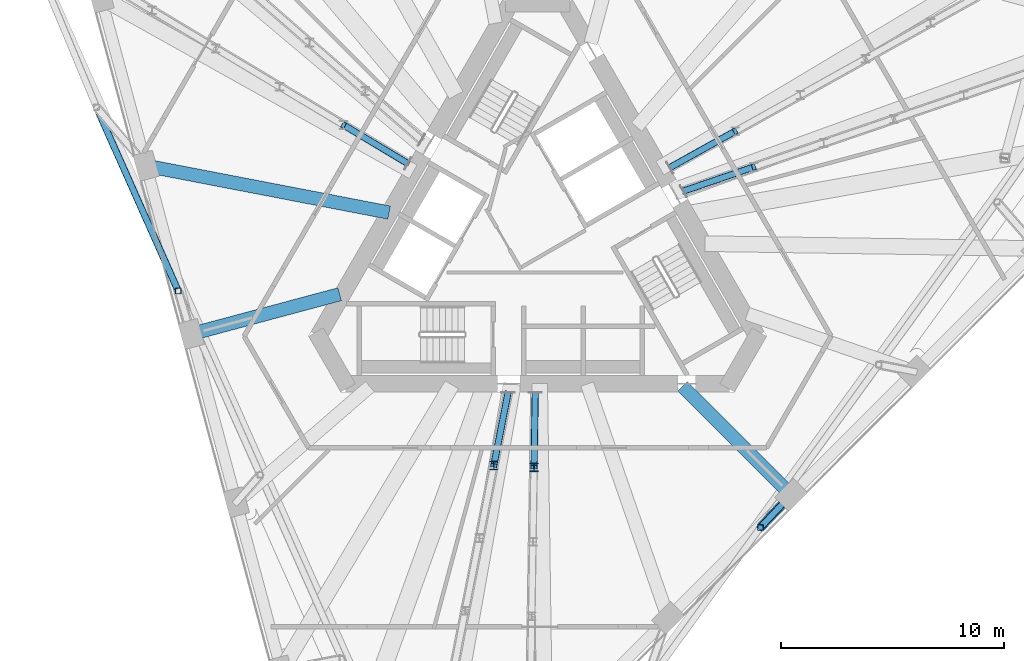
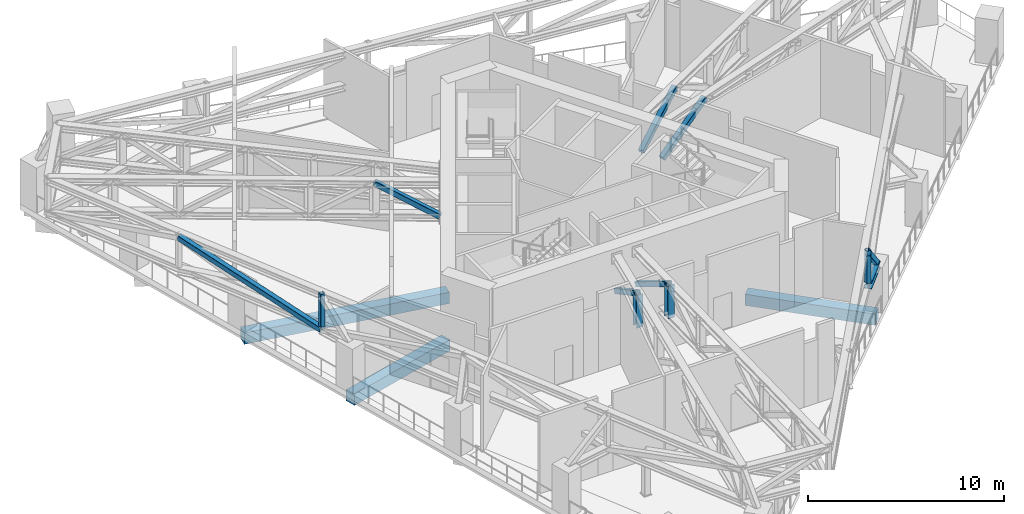
# One storey, part 6 of 22: 12 members, 3 beams.
"""IFC4 building model written with IfcOpenShell, lengths in metres."""

from ifc_helpers import new_model, si_unit, direction, frame, origin, origin_2d, place, context, subcontext, project, spatial, rectangle, hollow_rectangle, i_section, extrude, material, material_profile, profile_set, type_object, element, save


model = new_model("IFC4")

# Units and contexts
model_context = context("Model", 3, precision=1e-05, world=origin(), true_north=direction((0.0, 1.0)))
body_context = subcontext(model_context, "Body", "Model", "MODEL_VIEW")
ifc_project = project(units=[si_unit("LENGTHUNIT", "METRE"), si_unit("AREAUNIT", "SQUARE_METRE"), si_unit("VOLUMEUNIT", "CUBIC_METRE"), si_unit("PLANEANGLEUNIT", "RADIAN"), si_unit("MASSUNIT", "GRAM", prefix="KILO")], contexts=[model_context])

# Site, building, storey
site_placement = place(None, origin())
site = spatial("IfcSite", under=ifc_project, at=site_placement, CompositionType="ELEMENT")
building_placement = place(site_placement, origin())
building = spatial("IfcBuilding", under=site, at=building_placement, Name="Tramontana Tower", CompositionType="ELEMENT")
storey_placement = place(building_placement, frame((0.0, 0.0, 232.0)))
storey = spatial("IfcBuildingStorey", under=building, at=storey_placement, Name="L54", CompositionType="ELEMENT", Elevation=232.0)

# Members
ifc_material_1 = material(Name="Steel ASTM A500 Grade C", Category="steel")
ifc_material_profile_1 = material_profile(ifc_material_1, hollow_rectangle(XDim=0.25390625, YDim=0.25390625, WallThickness=0.01171875, InnerFilletRadius=0.01171875, OuterFilletRadius=0.023681640625, at=origin_2d()), Name="HSS10X10X1/2")
ifc_profile_set_1 = profile_set([ifc_material_profile_1], Name="Steel ASTM A500 Grade C")
member_type_1 = type_object("IfcMemberType", Name="Belt truss HSS10X10X1/2 post", PredefinedType="POST", material=ifc_profile_set_1)
for number, where, z_axis, x_axis, name in (
    (1, (-16.0830078125, -2.231201171875, 2.806396484375), (0.0, 0.0, 1.0), (1.0, 0.0, 0.0), "Belt truss post C6F02"),
    (2, (9.9736328125, -12.812744140625, 2.806396484375), (0.0, 0.0, 1.0), (1.0, 0.0, 0.0), "Belt truss post C6F06"),
):
    element("IfcMember", number, at=place(storey_placement, frame(where, z_axis=z_axis, x_axis=x_axis)), inside=storey, type_object=member_type_1, Name=name, PredefinedType="POST", context=body_context, shape_type="SweptSolid", body=[
        extrude(hollow_rectangle(XDim=0.25390625, YDim=0.25390625, WallThickness=0.01171875, InnerFilletRadius=0.01171875, OuterFilletRadius=0.023681640625, at=origin_2d()), origin(), (0.0, 0.0, 1.0), 2.043701171875),
    ])
ifc_material_2 = material(Name="Steel ASTM A500 Grade C", Category="steel")
ifc_material_profile_2 = material_profile(ifc_material_2, hollow_rectangle(XDim=0.3046875, YDim=0.3046875, WallThickness=0.01171875, InnerFilletRadius=0.01171875, OuterFilletRadius=0.023681640625, at=origin_2d()), Name="HSS12X12X1/2")
ifc_profile_set_2 = profile_set([ifc_material_profile_2], Name="Steel ASTM A500 Grade C")
member_type_2 = type_object("IfcMemberType", Name="Belt truss HSS12X12X1/2 brace", PredefinedType="BRACE", material=ifc_profile_set_2)
member_1_placement = place(storey_placement, frame((-19.746337890625, 5.996826171875, 4.646728515625), z_axis=(0.396653570726, -0.890904274616, -0.221258939485), x_axis=(0.913546436164, 0.406734445274, 0.0)))
element("IfcMember", 3, at=member_1_placement, inside=storey, type_object=member_type_2, Name="Belt truss diagonal S0.2", PredefinedType="BRACE", context=body_context, shape_type="SweptSolid", body=[
    extrude(hollow_rectangle(XDim=0.3046875, YDim=0.3046875, WallThickness=0.01171875, InnerFilletRadius=0.01171875, OuterFilletRadius=0.023681640625, at=origin_2d()), origin(), (0.0, 0.0, 1.0), 9.235595703125),
])
ifc_material_3 = material(Name="Steel ASTM A500 Grade C", Category="steel")
ifc_material_profile_3 = material_profile(ifc_material_3, hollow_rectangle(XDim=0.3046875, YDim=0.3046875, WallThickness=0.01171875, InnerFilletRadius=0.01171875, OuterFilletRadius=0.023681640625, at=origin_2d()), Name="HSS12X12X1/2")
ifc_profile_set_3 = profile_set([ifc_material_profile_3], Name="Steel ASTM A500 Grade C")
member_type_3 = type_object("IfcMemberType", Name="Outrigger truss HSS12X12X1/2 brace", PredefinedType="BRACE", material=ifc_profile_set_3)
member_2_placement = place(storey_placement, frame((-1.323486328125, -6.7900390625, 2.603271484375), z_axis=(-0.164071746092, -0.835040485175, 0.525155072576), x_axis=(0.981238610032, -0.192797277424, 0.0)))
element("IfcMember", 4, at=member_2_placement, inside=storey, type_object=member_type_3, Name="Outrigger truss diagonal 1.1", PredefinedType="BRACE", context=body_context, shape_type="SweptSolid", body=[
    extrude(hollow_rectangle(XDim=0.3046875, YDim=0.3046875, WallThickness=0.01171875, InnerFilletRadius=0.01171875, OuterFilletRadius=0.023681640625, at=origin_2d()), origin(), (0.0, 0.0, 1.0), 3.89111328125),
])
member_3_placement = place(storey_placement, frame((-0.106689453125, -6.7900390625, 2.603271484375), z_axis=(-0.01349021629, -0.852381814502, 0.522745881256), x_axis=(0.999874784555, -0.015824513003, 0.0)))
element("IfcMember", 5, at=member_3_placement, inside=storey, type_object=member_type_3, Name="Outrigger truss diagonal 2.1", PredefinedType="BRACE", context=body_context, shape_type="SweptSolid", body=[
    extrude(hollow_rectangle(XDim=0.3046875, YDim=0.3046875, WallThickness=0.01171875, InnerFilletRadius=0.01171875, OuterFilletRadius=0.023681640625, at=origin_2d()), origin(), (0.0, 0.0, 1.0), 3.9091796875),
])
member_4_placement = place(storey_placement, frame((6.5419921875, 2.248779296875, 2.603271484375), z_axis=(0.805212499026, 0.275431110388, 0.525138586321), x_axis=(-0.323649468337, 0.946177056182, 0.0)))
element("IfcMember", 6, at=member_4_placement, inside=storey, type_object=member_type_3, Name="Outrigger truss diagonal 3.1", PredefinedType="BRACE", context=body_context, shape_type="SweptSolid", body=[
    extrude(hollow_rectangle(XDim=0.3046875, YDim=0.3046875, WallThickness=0.01171875, InnerFilletRadius=0.01171875, OuterFilletRadius=0.023681640625, at=origin_2d()), origin(), (0.0, 0.0, 1.0), 3.891357421875),
])
for number, where, z_axis, x_axis, name in (
    (7, (5.93359375, 3.302490234375, 2.603271484375), (0.74494171679, 0.414501859015, 0.522733246943), (-0.486221296058, 0.873835711824, 0.0), "Outrigger truss diagonal 4.1"),
    (8, (-5.826904296875, 3.4873046875, 2.603271484375), (-0.731434516851, 0.437911444002, 0.52272087654), (-0.51367676829, -0.857983786396, 0.0), "Outrigger truss diagonal 6.1"),
):
    element("IfcMember", number, at=place(storey_placement, frame(where, z_axis=z_axis, x_axis=x_axis)), inside=storey, type_object=member_type_3, Name=name, PredefinedType="BRACE", context=body_context, shape_type="SweptSolid", body=[
        extrude(hollow_rectangle(XDim=0.3046875, YDim=0.3046875, WallThickness=0.01171875, InnerFilletRadius=0.01171875, OuterFilletRadius=0.023681640625, at=origin_2d()), origin(), (0.0, 0.0, 1.0), 3.9091796875),
    ])
ifc_material_4 = material(Name="Steel ASTM A992 Grade 50", Category="steel")
ifc_material_profile_4 = material_profile(ifc_material_4, i_section(OverallWidth=0.374755859375, OverallDepth=0.37158203125, WebThickness=0.015869140625, FlangeThickness=0.025390625, FilletRadius=0.01513671875, at=origin_2d()), Name="W14X132")
ifc_profile_set_4 = profile_set([ifc_material_profile_4], Name="Steel ASTM A992 Grade 50")
member_type_4 = type_object("IfcMemberType", Name="Outrigger truss W14X132 post", PredefinedType="POST", material=ifc_profile_set_4)
for number, where, z_axis, x_axis, name in (
    (9, (-1.9619140625, -10.039306640625, 2.603271484375), (0.0, 0.0, 1.0), (1.0, 0.0, 0.0), "Outrigger truss post 1.1"),
    (10, (-0.159423828125, -10.1220703125, 2.603271484375), (0.0, 0.0, 1.0), (1.0, 0.0, 0.0), "Outrigger truss post 2.1"),
):
    element("IfcMember", number, at=place(storey_placement, frame(where, z_axis=z_axis, x_axis=x_axis)), inside=storey, type_object=member_type_4, Name=name, PredefinedType="POST", context=body_context, shape_type="SweptSolid", body=[
        extrude(i_section(OverallWidth=0.374755859375, OverallDepth=0.37158203125, WebThickness=0.015869140625, FlangeThickness=0.025390625, FilletRadius=0.01513671875, at=origin_2d()), origin(), (0.0, 0.0, 1.0), 2.04345703125),
    ])

# Beams
ifc_material_5 = material(Name="Concrete 40 MPa", Category="concrete")
ifc_material_profile_5 = material_profile(ifc_material_5, rectangle(XDim=0.60009765625, YDim=0.699951171875, at=origin_2d()), Name="RC GIRDER 600X700 40 MPa")
ifc_profile_set_5 = profile_set([ifc_material_profile_5], Name="Concrete 40 MPa")
beam_type = type_object("IfcBeamType", Name="RC GIRDER 600X700 40 MPa", PredefinedType="BEAM", material=ifc_profile_set_5)
beam_placement = place(storey_placement, frame((-17.5205078125, 3.37451171875, -0.699951171875), z_axis=(0.981952314937, -0.189128663056, 0.0), x_axis=(0.189128663056, 0.981952314937, 0.0)))
element("IfcBeam", 11, at=beam_placement, inside=storey, type_object=beam_type, Name="Radial girder C5F02 L54", PredefinedType="BEAM", context=body_context, shape_type="SweptSolid", body=[
    extrude(rectangle(XDim=0.60009765625, YDim=0.699951171875, at=origin_2d()), origin(), (0.0, 0.0, 1.0), 11.074462890625),
])
for number, where, z_axis, x_axis, name in (
    (12, (-15.503173828125, -4.154052734375, -0.699951171875), (0.96592381373, 0.258826555959, 0.0), (-0.258826555959, 0.96592381373, 0.0), "Radial girder C5F03 L54"),
    (13, (11.34912109375, -11.34912109375, -0.699951171875), (-0.707106781187, 0.707106781187, 0.0), (-0.707106781187, -0.707106781187, 0.0), "Radial girder C5F08 L54"),
):
    element("IfcBeam", number, at=place(storey_placement, frame(where, z_axis=z_axis, x_axis=x_axis)), inside=storey, type_object=beam_type, Name=name, PredefinedType="BEAM", context=body_context, shape_type="SweptSolid", body=[
        extrude(rectangle(XDim=0.60009765625, YDim=0.699951171875, at=origin_2d()), origin(), (0.0, 0.0, 1.0), 6.879150390625),
    ])

# Members
ifc_material_6 = material(Name="Steel ASTM A500 Grade C", Category="steel")
ifc_material_profile_6 = material_profile(ifc_material_6, hollow_rectangle(XDim=0.3046875, YDim=0.3046875, WallThickness=0.01171875, InnerFilletRadius=0.01171875, OuterFilletRadius=0.023681640625, at=origin_2d()), Name="HSS12X12X1/2")
ifc_profile_set_6 = profile_set([ifc_material_profile_6], Name="Steel ASTM A500 Grade C")
member_type_5 = type_object("IfcMemberType", Name="Transfer truss HSS12X12X1/2 brace", PredefinedType="BRACE", material=ifc_profile_set_6)
member_5_placement = place(storey_placement, frame((11.34912109375, -11.34912109375, 2.603271484375), z_axis=(-0.480052313967, -0.510811789534, 0.713176760367), x_axis=(0.728706522115, -0.684826112693, 0.0)))
element("IfcMember", 14, at=member_5_placement, inside=storey, type_object=member_type_5, Name="Transfer truss strut C6F06 diagonal", PredefinedType="BRACE", context=body_context, shape_type="SweptSolid", body=[
    extrude(hollow_rectangle(XDim=0.3046875, YDim=0.3046875, WallThickness=0.01171875, InnerFilletRadius=0.01171875, OuterFilletRadius=0.023681640625, at=origin_2d()), origin(), (0.0, 0.0, 1.0), 2.865234375),
])
ifc_material_7 = material(Name="Steel ASTM A992 Grade 50", Category="steel")
ifc_material_profile_7 = material_profile(ifc_material_7, i_section(OverallWidth=0.4033203125, OverallDepth=0.406494140625, WebThickness=0.027099609375, FlangeThickness=0.04443359375, FilletRadius=0.01513671875, at=origin_2d()), Name="W14X233")
ifc_profile_set_7 = profile_set([ifc_material_profile_7], Name="Steel ASTM A992 Grade 50")
member_type_6 = type_object("IfcMemberType", Name="Transfer truss W14X233 strut", PredefinedType="STRUT", material=ifc_profile_set_7)
member_6_placement = place(storey_placement, frame((11.34912109375, -11.34912109375, 2.603271484375), z_axis=(-0.684826112693, -0.728706522115, 0.0), x_axis=(0.728706522115, -0.684826112693, 0.0)))
element("IfcMember", 15, at=member_6_placement, inside=storey, type_object=member_type_6, Name="Transfer truss strut C6F06 bottom", PredefinedType="STRUT", context=body_context, shape_type="SweptSolid", body=[
    extrude(i_section(OverallWidth=0.4033203125, OverallDepth=0.406494140625, WebThickness=0.027099609375, FlangeThickness=0.04443359375, FilletRadius=0.01513671875, at=origin_2d()), origin(), (0.0, 0.0, 1.0), 2.008544921875),
])

save(model, "model.ifc")
